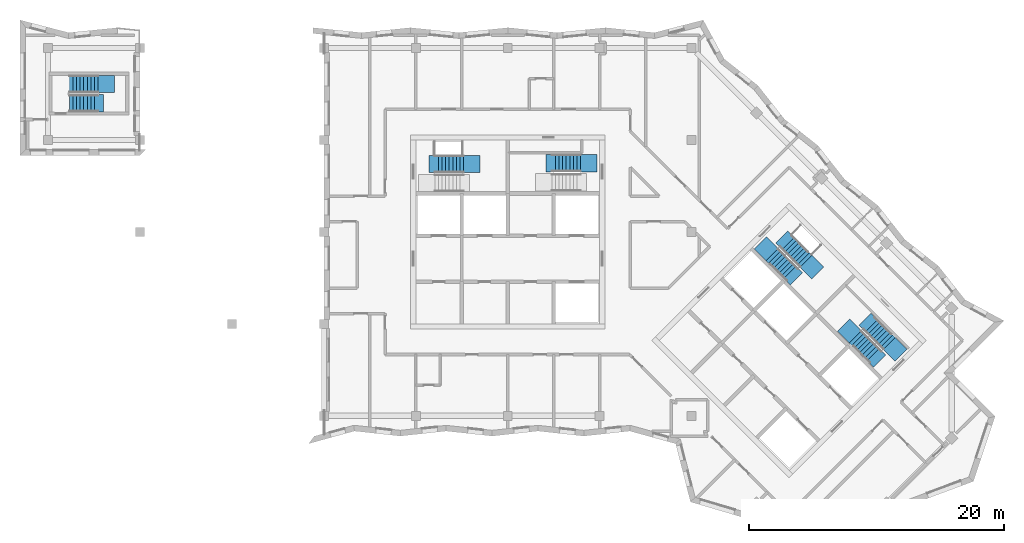
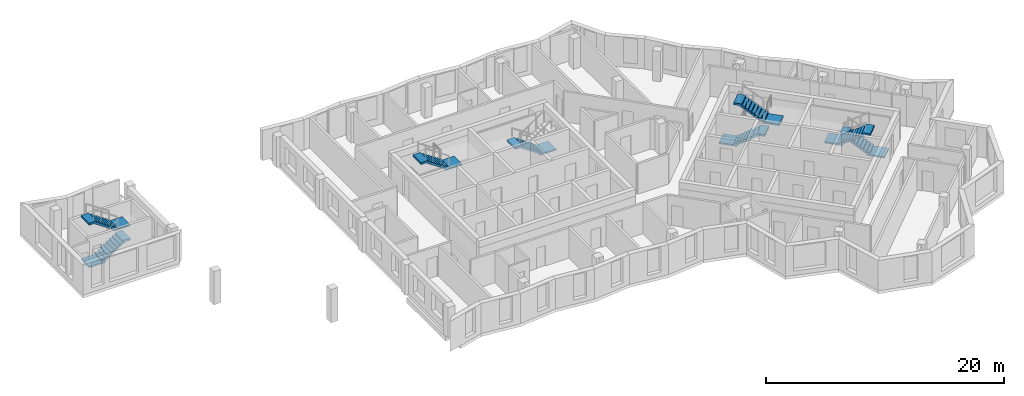
# One storey, part 8 of 12: 8 stair flights, 5 elements without a shape of their own.
"""IFC4 building model written with IfcOpenShell, lengths in metres."""

from ifc_helpers import new_model, si_unit, direction, frame, origin, place, context, subcontext, project, spatial, polyline, outline, extrude, material, type_object, element, aggregate, save


model = new_model("IFC4")

# Units and contexts
model_context = context("Model", 3, precision=1e-05, world=origin(), true_north=direction((0.0, 1.0)))
body_context = subcontext(model_context, "Body", "Model", "MODEL_VIEW")
ifc_project = project(units=[si_unit("LENGTHUNIT", "METRE"), si_unit("AREAUNIT", "SQUARE_METRE"), si_unit("VOLUMEUNIT", "CUBIC_METRE"), si_unit("PLANEANGLEUNIT", "RADIAN"), si_unit("MASSUNIT", "GRAM", prefix="KILO")], contexts=[model_context])

# Site, building, storey
site_placement = place(None, origin())
site = spatial("IfcSite", under=ifc_project, at=site_placement, CompositionType="ELEMENT")
building_placement = place(site_placement, origin())
building = spatial("IfcBuilding", under=site, at=building_placement, Name="Windrow Commons", CompositionType="ELEMENT")
storey_placement = place(building_placement, frame((0.0, 0.0, 254.0)))
storey = spatial("IfcBuildingStorey", under=building, at=storey_placement, Name="L69", CompositionType="ELEMENT", Elevation=254.0)

# Stair, stair flight
ifc_material_1 = material(Name="Concrete C40/50", Category="concrete")
stair_type = type_object("IfcStairType", Name="Core stair", PredefinedType="HALF_TURN_STAIR", material=ifc_material_1)
placement = place(storey_placement, origin())
stair_1 = element("IfcStair", 1, at=placement, inside=storey, type_object=stair_type, Name="L69 Exit stair A1 core A", PredefinedType="HALF_TURN_STAIR")
ifc_material_2 = material(Name="Concrete C40/50", Category="concrete")
stair_flight_type = type_object("IfcStairFlightType", Name="Core stair flight", PredefinedType="STRAIGHT", material=ifc_material_2)
stair_flight_1_placement = place(storey_placement, frame((61.34, 62.925, 1.7), z_axis=(0.0, 0.0, 1.0), x_axis=(-1.0, 0.0, 0.0)))
stair_flight_1 = element("IfcStairFlight", 2, at=stair_flight_1_placement, type_object=stair_flight_type, Name="ST-A1 flight 2", NumberOfRisers=9, NumberOfTreads=8, PredefinedType="STRAIGHT", RiserHeight=0.188888889, TreadLength=0.28, context=body_context, shape_type="SweptSolid", body=[
    extrude(outline(polyline([(-1.3, -0.15), (-1.3, 0.0), (0.0, 0.0), (0.0, 0.1889), (0.28, 0.1889), (0.28, 0.3778), (0.56, 0.3778), (0.56, 0.5667), (0.84, 0.5667), (0.84, 0.7556), (1.12, 0.7556), (1.12, 0.9444), (1.4, 0.9444), (1.4, 1.1333), (1.68, 1.1333), (1.68, 1.3222), (1.96, 1.3222), (1.96, 1.5111), (2.24, 1.5111), (2.69, 1.5111), (2.69, 1.3111), (2.24, 1.3111), (2.24, 1.3302), (0.2682, 0.0), (0.2682, -0.15), (-1.3, -0.15)])), frame((0.0, 0.675, 0.0), z_axis=(0.0, -1.0, 0.0), x_axis=(1.0, 0.0, 0.0)), (0.0, 0.0, 1.0), 1.35),
])
aggregate(stair_1, [stair_flight_1])

stair_2 = element("IfcStair", 3, at=placement, inside=storey, type_object=stair_type, Name="L69 Exit stair A2 core A", PredefinedType="HALF_TURN_STAIR")
stair_flight_2_placement = place(storey_placement, frame((70.5, 62.98, 0.0), z_axis=(0.0, 0.0, 1.0), x_axis=(-1.0, 0.0, 0.0)))
stair_flight_2 = element("IfcStairFlight", 4, at=stair_flight_2_placement, type_object=stair_flight_type, Name="ST-A2 flight 1", NumberOfRisers=9, NumberOfTreads=8, PredefinedType="STRAIGHT", RiserHeight=0.188888889, TreadLength=0.28, context=body_context, shape_type="SweptSolid", body=[
    extrude(outline(polyline([(-1.3, -0.15), (-1.3, 0.0), (0.0, 0.0), (0.0, 0.1889), (0.28, 0.1889), (0.28, 0.3778), (0.56, 0.3778), (0.56, 0.5667), (0.84, 0.5667), (0.84, 0.7556), (1.12, 0.7556), (1.12, 0.9444), (1.4, 0.9444), (1.4, 1.1333), (1.68, 1.1333), (1.68, 1.3222), (1.96, 1.3222), (1.96, 1.5111), (2.24, 1.5111), (2.69, 1.5111), (2.69, 1.3111), (2.24, 1.3111), (2.24, 1.3302), (0.2682, 0.0), (0.2682, -0.15), (-1.3, -0.15)])), frame((0.0, 0.675, 0.0), z_axis=(0.0, -1.0, 0.0), x_axis=(1.0, 0.0, 0.0)), (0.0, 0.0, 1.0), 1.35),
])
aggregate(stair_2, [stair_flight_2])

# Stair, stair flights
stair_3 = element("IfcStair", 5, at=placement, inside=storey, type_object=stair_type, Name="L69 Exit stair B1 core B", PredefinedType="HALF_TURN_STAIR")
stair_flight_3_placement = place(storey_placement, frame((85.5109, 55.8249, 0.0), z_axis=(0.0, 0.0, 1.0), x_axis=(0.7071067812, -0.7071067812, 0.0)))
stair_flight_3 = element("IfcStairFlight", 6, at=stair_flight_3_placement, type_object=stair_flight_type, Name="ST-B1 flight 1", NumberOfRisers=9, NumberOfTreads=8, PredefinedType="STRAIGHT", RiserHeight=0.188888889, TreadLength=0.28, context=body_context, shape_type="SweptSolid", body=[
    extrude(outline(polyline([(-1.3, -0.15), (-1.3, 0.0), (0.0, 0.0), (0.0, 0.1889), (0.28, 0.1889), (0.28, 0.3778), (0.56, 0.3778), (0.56, 0.5667), (0.84, 0.5667), (0.84, 0.7556), (1.12, 0.7556), (1.12, 0.9444), (1.4, 0.9444), (1.4, 1.1333), (1.68, 1.1333), (1.68, 1.3222), (1.96, 1.3222), (1.96, 1.5111), (2.24, 1.5111), (2.69, 1.5111), (2.69, 1.3111), (2.24, 1.3111), (2.24, 1.3302), (0.2682, 0.0), (0.2682, -0.15), (-1.3, -0.15)])), frame((0.0, 0.675, 0.0), z_axis=(0.0, -1.0, 0.0), x_axis=(1.0, 0.0, 0.0)), (0.0, 0.0, 1.0), 1.35),
])
stair_flight_4_placement = place(storey_placement, frame((88.1555, 55.3017, 1.7), z_axis=(0.0, 0.0, 1.0), x_axis=(-0.7071067812, 0.7071067812, 0.0)))
stair_flight_4 = element("IfcStairFlight", 7, at=stair_flight_4_placement, type_object=stair_flight_type, Name="ST-B1 flight 2", NumberOfRisers=9, NumberOfTreads=8, PredefinedType="STRAIGHT", RiserHeight=0.188888889, TreadLength=0.28, context=body_context, shape_type="SweptSolid", body=[
    extrude(outline(polyline([(-1.3, -0.15), (-1.3, 0.0), (0.0, 0.0), (0.0, 0.1889), (0.28, 0.1889), (0.28, 0.3778), (0.56, 0.3778), (0.56, 0.5667), (0.84, 0.5667), (0.84, 0.7556), (1.12, 0.7556), (1.12, 0.9444), (1.4, 0.9444), (1.4, 1.1333), (1.68, 1.1333), (1.68, 1.3222), (1.96, 1.3222), (1.96, 1.5111), (2.24, 1.5111), (2.69, 1.5111), (2.69, 1.3111), (2.24, 1.3111), (2.24, 1.3302), (0.2682, 0.0), (0.2682, -0.15), (-1.3, -0.15)])), frame((0.0, 0.675, 0.0), z_axis=(0.0, -1.0, 0.0), x_axis=(1.0, 0.0, 0.0)), (0.0, 0.0, 1.0), 1.35),
])
aggregate(stair_3, [stair_flight_3, stair_flight_4])

stair_4 = element("IfcStair", 8, at=placement, inside=storey, type_object=stair_type, Name="L69 Exit stair B2 core B", PredefinedType="HALF_TURN_STAIR")
stair_flight_5_placement = place(storey_placement, frame((94.6715, 48.8635, 0.0), z_axis=(0.0, 0.0, 1.0), x_axis=(-0.7071067812, 0.7071067812, 0.0)))
stair_flight_5 = element("IfcStairFlight", 9, at=stair_flight_5_placement, type_object=stair_flight_type, Name="ST-B2 flight 1", NumberOfRisers=9, NumberOfTreads=8, PredefinedType="STRAIGHT", RiserHeight=0.188888889, TreadLength=0.28, context=body_context, shape_type="SweptSolid", body=[
    extrude(outline(polyline([(-1.3, -0.15), (-1.3, 0.0), (0.0, 0.0), (0.0, 0.1889), (0.28, 0.1889), (0.28, 0.3778), (0.56, 0.3778), (0.56, 0.5667), (0.84, 0.5667), (0.84, 0.7556), (1.12, 0.7556), (1.12, 0.9444), (1.4, 0.9444), (1.4, 1.1333), (1.68, 1.1333), (1.68, 1.3222), (1.96, 1.3222), (1.96, 1.5111), (2.24, 1.5111), (2.69, 1.5111), (2.69, 1.3111), (2.24, 1.3111), (2.24, 1.3302), (0.2682, 0.0), (0.2682, -0.15), (-1.3, -0.15)])), frame((0.0, 0.675, 0.0), z_axis=(0.0, -1.0, 0.0), x_axis=(1.0, 0.0, 0.0)), (0.0, 0.0, 1.0), 1.35),
])
stair_flight_6_placement = place(storey_placement, frame((92.0269, 49.3867, 1.7), z_axis=(0.0, 0.0, 1.0), x_axis=(0.7071067812, -0.7071067812, 0.0)))
stair_flight_6 = element("IfcStairFlight", 10, at=stair_flight_6_placement, type_object=stair_flight_type, Name="ST-B2 flight 2", NumberOfRisers=9, NumberOfTreads=8, PredefinedType="STRAIGHT", RiserHeight=0.188888889, TreadLength=0.28, context=body_context, shape_type="SweptSolid", body=[
    extrude(outline(polyline([(-1.3, -0.15), (-1.3, 0.0), (0.0, 0.0), (0.0, 0.1889), (0.28, 0.1889), (0.28, 0.3778), (0.56, 0.3778), (0.56, 0.5667), (0.84, 0.5667), (0.84, 0.7556), (1.12, 0.7556), (1.12, 0.9444), (1.4, 0.9444), (1.4, 1.1333), (1.68, 1.1333), (1.68, 1.3222), (1.96, 1.3222), (1.96, 1.5111), (2.24, 1.5111), (2.69, 1.5111), (2.69, 1.3111), (2.24, 1.3111), (2.24, 1.3302), (0.2682, 0.0), (0.2682, -0.15), (-1.3, -0.15)])), frame((0.0, 0.675, 0.0), z_axis=(0.0, -1.0, 0.0), x_axis=(1.0, 0.0, 0.0)), (0.0, 0.0, 1.0), 1.35),
])
aggregate(stair_4, [stair_flight_5, stair_flight_6])

stair_5 = element("IfcStair", 11, at=placement, inside=storey, type_object=stair_type, Name="L69 Exit stair W", PredefinedType="HALF_TURN_STAIR")
stair_flight_7_placement = place(storey_placement, frame((30.475, 67.675, 0.0), z_axis=(0.0, 0.0, 1.0), x_axis=(1.0, 0.0, 0.0)))
stair_flight_7 = element("IfcStairFlight", 12, at=stair_flight_7_placement, type_object=stair_flight_type, Name="ST-W flight 1", NumberOfRisers=9, NumberOfTreads=8, PredefinedType="STRAIGHT", RiserHeight=0.188888889, TreadLength=0.28, context=body_context, shape_type="SweptSolid", body=[
    extrude(outline(polyline([(-1.3, -0.15), (-1.3, 0.0), (0.0, 0.0), (0.0, 0.1889), (0.28, 0.1889), (0.28, 0.3778), (0.56, 0.3778), (0.56, 0.5667), (0.84, 0.5667), (0.84, 0.7556), (1.12, 0.7556), (1.12, 0.9444), (1.4, 0.9444), (1.4, 1.1333), (1.68, 1.1333), (1.68, 1.3222), (1.96, 1.3222), (1.96, 1.5111), (2.24, 1.5111), (2.69, 1.5111), (2.69, 1.3111), (2.24, 1.3111), (2.24, 1.3302), (0.2682, 0.0), (0.2682, -0.15), (-1.3, -0.15)])), frame((0.0, 0.675, 0.0), z_axis=(0.0, -1.0, 0.0), x_axis=(1.0, 0.0, 0.0)), (0.0, 0.0, 1.0), 1.35),
])
stair_flight_8_placement = place(storey_placement, frame((32.715, 69.175, 1.7), z_axis=(0.0, 0.0, 1.0), x_axis=(-1.0, 0.0, 0.0)))
stair_flight_8 = element("IfcStairFlight", 13, at=stair_flight_8_placement, type_object=stair_flight_type, Name="ST-W flight 2", NumberOfRisers=9, NumberOfTreads=8, PredefinedType="STRAIGHT", RiserHeight=0.188888889, TreadLength=0.28, context=body_context, shape_type="SweptSolid", body=[
    extrude(outline(polyline([(-1.3, -0.15), (-1.3, 0.0), (0.0, 0.0), (0.0, 0.1889), (0.28, 0.1889), (0.28, 0.3778), (0.56, 0.3778), (0.56, 0.5667), (0.84, 0.5667), (0.84, 0.7556), (1.12, 0.7556), (1.12, 0.9444), (1.4, 0.9444), (1.4, 1.1333), (1.68, 1.1333), (1.68, 1.3222), (1.96, 1.3222), (1.96, 1.5111), (2.24, 1.5111), (2.69, 1.5111), (2.69, 1.3111), (2.24, 1.3111), (2.24, 1.3302), (0.2682, 0.0), (0.2682, -0.15), (-1.3, -0.15)])), frame((0.0, 0.675, 0.0), z_axis=(0.0, -1.0, 0.0), x_axis=(1.0, 0.0, 0.0)), (0.0, 0.0, 1.0), 1.35),
])
aggregate(stair_5, [stair_flight_7, stair_flight_8])

save(model, "model.ifc")
